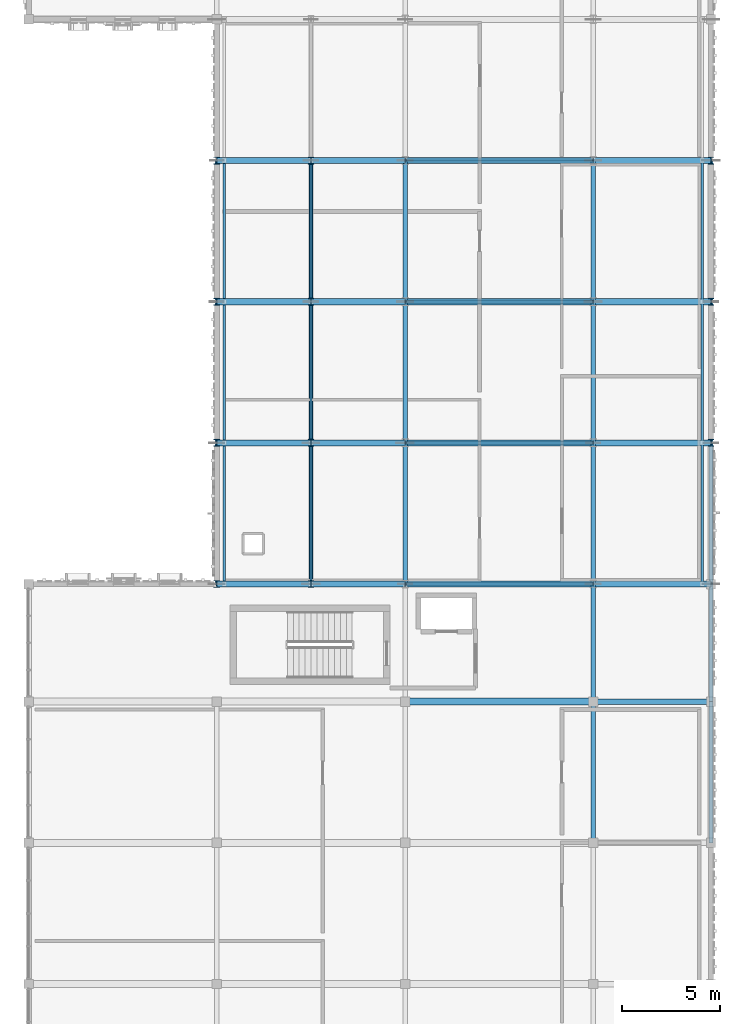
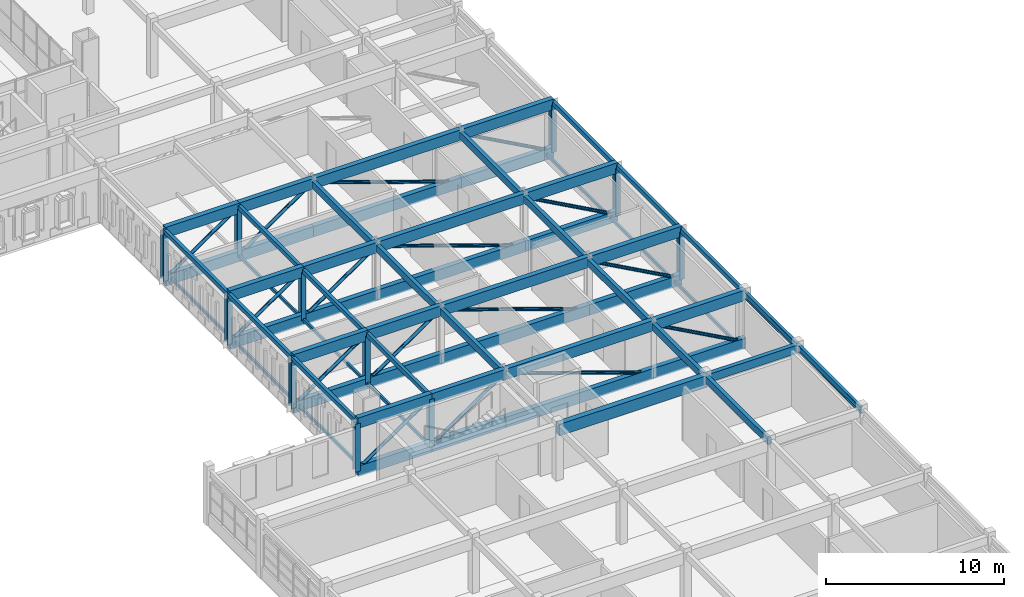
# One storey, part 28 of 79: 68 members, 21 beams.
"""IFC4 building model written with IfcOpenShell, lengths in metres."""

from ifc_helpers import new_model, si_unit, direction, frame, origin, origin_2d, place, context, subcontext, project, spatial, rectangle, hollow_rectangle, hollow_circle, i_section, extrude, material, material_profile, profile_set, type_object, element, save


model = new_model("IFC4")

# Units and contexts
model_context = context("Model", 3, precision=1e-05, world=origin(), true_north=direction((0.0, 1.0)))
body_context = subcontext(model_context, "Body", "Model", "MODEL_VIEW")
ifc_project = project(units=[si_unit("LENGTHUNIT", "METRE"), si_unit("AREAUNIT", "SQUARE_METRE"), si_unit("VOLUMEUNIT", "CUBIC_METRE"), si_unit("PLANEANGLEUNIT", "RADIAN"), si_unit("MASSUNIT", "GRAM", prefix="KILO")], contexts=[model_context])

# Site, building, storey
site_placement = place(None, origin())
site = spatial("IfcSite", under=ifc_project, at=site_placement, CompositionType="ELEMENT")
building_placement = place(site_placement, origin())
building = spatial("IfcBuilding", under=site, at=building_placement, Name="Nzembalo Square Collegiate School", CompositionType="ELEMENT")
storey_placement = place(building_placement, frame((0.0, 0.0, 9.52001953125)))
storey = spatial("IfcBuildingStorey", under=building, at=storey_placement, Name="L02", CompositionType="ELEMENT", Elevation=9.52001953125)

# Beams
ifc_material_1 = material(Name="Glulam GL28h", Category="wood")
ifc_material_profile_1 = material_profile(ifc_material_1, rectangle(XDim=0.280029296875, YDim=0.56005859375, at=origin_2d()), Name="GL28h 280x560")
ifc_profile_set_1 = profile_set([ifc_material_profile_1], Name="Glulam GL28h")
beam_type_1 = type_object("IfcBeamType", Name="B05", PredefinedType="BEAM", material=ifc_profile_set_1)
beam_1_placement = place(storey_placement, frame((159.60009765625, 44.39990234375, 3.5048828125), z_axis=(1.0, 0.0, 0.0), x_axis=(0.0, 1.0, 0.0)))
element("IfcBeam", 1, at=beam_1_placement, inside=storey, type_object=beam_type_1, Name="Beam B05 L02", PredefinedType="BEAM", context=body_context, shape_type="SweptSolid", body=[
    extrude(rectangle(XDim=0.280029296875, YDim=0.56005859375, at=origin_2d()), origin(), (0.0, 0.0, 1.0), 6.0),
])
ifc_material_2 = material(Name="Glulam GL28h", Category="wood")
ifc_material_profile_2 = material_profile(ifc_material_2, rectangle(XDim=0.239990234375, YDim=0.47998046875, at=origin_2d()), Name="GL28h 240x480")
ifc_profile_set_2 = profile_set([ifc_material_profile_2], Name="Glulam GL28h")
beam_type_2 = type_object("IfcBeamType", Name="B06", PredefinedType="BEAM", material=ifc_profile_set_2)
beam_2_placement = place(storey_placement, frame((150.0, 50.39990234375, 3.544921875), z_axis=(0.0, 1.0, 0.0), x_axis=(-1.0, 0.0, 0.0)))
element("IfcBeam", 2, at=beam_2_placement, inside=storey, type_object=beam_type_2, Name="Beam B06 L02", PredefinedType="BEAM", context=body_context, shape_type="SweptSolid", body=[
    extrude(rectangle(XDim=0.239990234375, YDim=0.47998046875, at=origin_2d()), origin(), (0.0, 0.0, 1.0), 7.2001953125),
])
for number, where, z_axis, x_axis, name in (
    (3, (150.0, 57.60009765625, 3.544921875), (0.0, 1.0, 0.0), (-1.0, 0.0, 0.0), "Beam B06 L02"),
    (4, (150.0, 64.800048828125, 3.544921875), (0.0, 1.0, 0.0), (-1.0, 0.0, 0.0), "Beam B06 L02"),
    (5, (159.60009765625, 37.199951171875, 3.544921875), (0.0, 1.0, 0.0), (-1.0, 0.0, 0.0), "Beam B06 L02"),
):
    element("IfcBeam", number, at=place(storey_placement, frame(where, z_axis=z_axis, x_axis=x_axis)), inside=storey, type_object=beam_type_2, Name=name, PredefinedType="BEAM", context=body_context, shape_type="SweptSolid", body=[
        extrude(rectangle(XDim=0.239990234375, YDim=0.47998046875, at=origin_2d()), origin(), (0.0, 0.0, 1.0), 7.199951171875),
    ])
beam_3_placement = place(storey_placement, frame((159.60009765625, 44.39990234375, 3.544921875), z_axis=(0.0, 1.0, 0.0), x_axis=(-1.0, 0.0, 0.0)))
element("IfcBeam", 6, at=beam_3_placement, inside=storey, type_object=beam_type_2, Name="Beam B06 L02", PredefinedType="BEAM", context=body_context, shape_type="SweptSolid", body=[
    extrude(rectangle(XDim=0.239990234375, YDim=0.47998046875, at=origin_2d()), origin(), (0.0, 0.0, 1.0), 6.0),
])
beam_4_placement = place(storey_placement, frame((159.60009765625, 50.39990234375, 3.544921875), z_axis=(0.0, 1.0, 0.0), x_axis=(-1.0, 0.0, 0.0)))
element("IfcBeam", 7, at=beam_4_placement, inside=storey, type_object=beam_type_2, Name="Beam B06 L02", PredefinedType="BEAM", context=body_context, shape_type="SweptSolid", body=[
    extrude(rectangle(XDim=0.239990234375, YDim=0.47998046875, at=origin_2d()), origin(), (0.0, 0.0, 1.0), 7.2001953125),
])
for number, where, z_axis, x_axis, name in (
    (8, (159.60009765625, 57.60009765625, 3.544921875), (0.0, 1.0, 0.0), (-1.0, 0.0, 0.0), "Beam B06 L02"),
    (9, (159.60009765625, 64.800048828125, 3.544921875), (0.0, 1.0, 0.0), (-1.0, 0.0, 0.0), "Beam B06 L02"),
):
    element("IfcBeam", number, at=place(storey_placement, frame(where, z_axis=z_axis, x_axis=x_axis)), inside=storey, type_object=beam_type_2, Name=name, PredefinedType="BEAM", context=body_context, shape_type="SweptSolid", body=[
        extrude(rectangle(XDim=0.239990234375, YDim=0.47998046875, at=origin_2d()), origin(), (0.0, 0.0, 1.0), 7.199951171875),
    ])
ifc_material_3 = material(Name="Steel S355", Category="steel")
ifc_material_profile_3 = material_profile(ifc_material_3, i_section(OverallWidth=0.18994140625, OverallDepth=0.449951171875, WebThickness=0.009521484375, FlangeThickness=0.0146484375, at=origin_2d()), Name="IPE 450")
ifc_profile_set_3 = profile_set([ifc_material_profile_3], Name="Steel S355")
beam_type_3 = type_object("IfcBeamType", Name="B09", PredefinedType="BEAM", material=ifc_profile_set_3)
beam_5_placement = place(storey_placement, frame((165.60009765625, 37.199951171875, 3.56005859375), z_axis=(0.0, 1.0, 0.0), x_axis=(-1.0, 0.0, 0.0)))
element("IfcBeam", 10, at=beam_5_placement, inside=storey, type_object=beam_type_3, Name="Beam B09 L02", PredefinedType="BEAM", context=body_context, shape_type="SweptSolid", body=[
    extrude(i_section(OverallWidth=0.18994140625, OverallDepth=0.449951171875, WebThickness=0.009521484375, FlangeThickness=0.0146484375, at=origin_2d()), origin(), (0.0, 0.0, 1.0), 7.199951171875),
])
beam_6_placement = place(storey_placement, frame((165.60009765625, 44.39990234375, 3.56005859375), z_axis=(0.0, 1.0, 0.0), x_axis=(-1.0, 0.0, 0.0)))
element("IfcBeam", 11, at=beam_6_placement, inside=storey, type_object=beam_type_3, Name="Beam B09 L02", PredefinedType="BEAM", context=body_context, shape_type="SweptSolid", body=[
    extrude(i_section(OverallWidth=0.18994140625, OverallDepth=0.449951171875, WebThickness=0.009521484375, FlangeThickness=0.0146484375, at=origin_2d()), origin(), (0.0, 0.0, 1.0), 6.0),
])
ifc_material_4 = material(Name="Glulam GL32h", Category="wood")
ifc_material_profile_4 = material_profile(ifc_material_4, rectangle(XDim=0.360107421875, YDim=0.800048828125, at=origin_2d()), Name="GL32h 360x800")
ifc_profile_set_4 = profile_set([ifc_material_profile_4], Name="Glulam GL32h")
beam_type_4 = type_object("IfcBeamType", Name="B13", PredefinedType="BEAM", material=ifc_profile_set_4)
beam_7_placement = place(storey_placement, frame((150.0, 44.39990234375, 3.385009765625), z_axis=(1.0, 0.0, 0.0), x_axis=(0.0, 1.0, 0.0)))
element("IfcBeam", 12, at=beam_7_placement, inside=storey, type_object=beam_type_4, Name="Beam B13 L02", PredefinedType="BEAM", context=body_context, shape_type="SweptSolid", body=[
    extrude(rectangle(XDim=0.360107421875, YDim=0.800048828125, at=origin_2d()), origin(), (0.0, 0.0, 1.0), 9.60009765625),
])
ifc_material_5 = material(Name="Steel S355", Category="steel")
ifc_material_profile_5 = material_profile(ifc_material_5, hollow_rectangle(XDim=0.199951171875, YDim=0.300048828125, WallThickness=0.011962890625, at=origin_2d()), Name="RHS 300x200x12")
ifc_profile_set_5 = profile_set([ifc_material_profile_5], Name="Steel S355")
beam_type_5 = type_object("IfcBeamType", Name="SP03", PredefinedType="SPANDREL", material=ifc_profile_set_5)
for number, where, z_axis, x_axis, name in (
    (13, (165.60009765625, 50.39990234375, 3.635009765625), (0.0, 1.0, 0.0), (-1.0, 0.0, 0.0), "Cantilever edge beam SP03 4B L02"),
    (14, (140.39990234375, 50.39990234375, 3.635009765625), (0.0, 1.0, 0.0), (-1.0, 0.0, 0.0), "Cantilever edge beam SP03 4B L02"),
    (15, (145.199951171875, 50.39990234375, 3.635009765625), (0.0, 1.0, 0.0), (-1.0, 0.0, 0.0), "Cantilever edge beam SP03 4B L02"),
):
    element("IfcBeam", number, at=place(storey_placement, frame(where, z_axis=z_axis, x_axis=x_axis)), inside=storey, type_object=beam_type_5, Name=name, PredefinedType="SPANDREL", context=body_context, shape_type="SweptSolid", body=[
        extrude(hollow_rectangle(XDim=0.199951171875, YDim=0.300048828125, WallThickness=0.011962890625, at=origin_2d()), origin(), (0.0, 0.0, 1.0), 7.2001953125),
    ])
for number, where, z_axis, x_axis, name in (
    (16, (165.60009765625, 57.60009765625, 3.635009765625), (0.0, 1.0, 0.0), (-1.0, 0.0, 0.0), "Cantilever edge beam SP03 4B L02"),
    (17, (140.39990234375, 57.60009765625, 3.635009765625), (0.0, 1.0, 0.0), (-1.0, 0.0, 0.0), "Cantilever edge beam SP03 4B L02"),
    (18, (145.199951171875, 57.60009765625, 3.635009765625), (0.0, 1.0, 0.0), (-1.0, 0.0, 0.0), "Cantilever edge beam SP03 4B L02"),
    (19, (165.60009765625, 64.800048828125, 3.635009765625), (0.0, 1.0, 0.0), (-1.0, 0.0, 0.0), "Cantilever edge beam SP03 4B L02"),
    (20, (140.39990234375, 64.800048828125, 3.635009765625), (0.0, 1.0, 0.0), (-1.0, 0.0, 0.0), "Cantilever edge beam SP03 4B L02"),
    (21, (145.199951171875, 64.800048828125, 3.635009765625), (0.0, 1.0, 0.0), (-1.0, 0.0, 0.0), "Cantilever edge beam SP03 4B L02"),
):
    element("IfcBeam", number, at=place(storey_placement, frame(where, z_axis=z_axis, x_axis=x_axis)), inside=storey, type_object=beam_type_5, Name=name, PredefinedType="SPANDREL", context=body_context, shape_type="SweptSolid", body=[
        extrude(hollow_rectangle(XDim=0.199951171875, YDim=0.300048828125, WallThickness=0.011962890625, at=origin_2d()), origin(), (0.0, 0.0, 1.0), 7.199951171875),
    ])

# Members
ifc_material_6 = material(Name="Steel S355", Category="steel")
ifc_material_profile_6 = material_profile(ifc_material_6, hollow_rectangle(XDim=0.1201171875, YDim=0.199951171875, WallThickness=0.008056640625, at=origin_2d()), Name="RHS 200x120x8")
ifc_profile_set_6 = profile_set([ifc_material_profile_6], Name="Steel S355")
member_type_1 = type_object("IfcMemberType", Name="BR02", PredefinedType="BRACE", material=ifc_profile_set_6)
for number, where, z_axis, x_axis, name in (
    (22, (140.780029296875, 50.39990234375, 0.260009765625), (0.0, 1.0, 0.0), (-1.0, 0.0, 0.0), "Cantilever bottom-chord tie 4B btip"),
    (23, (145.199951171875, 50.39990234375, 0.260009765625), (0.0, 1.0, 0.0), (-1.0, 0.0, 0.0), "Cantilever bottom-chord tie 4B bmid"),
):
    element("IfcMember", number, at=place(storey_placement, frame(where, z_axis=z_axis, x_axis=x_axis)), inside=storey, type_object=member_type_1, Name=name, PredefinedType="BRACE", context=body_context, shape_type="SweptSolid", body=[
        extrude(hollow_rectangle(XDim=0.1201171875, YDim=0.199951171875, WallThickness=0.008056640625, at=origin_2d()), origin(), (0.0, 0.0, 1.0), 7.2001953125),
    ])
for number, where, z_axis, x_axis, name in (
    (24, (140.780029296875, 57.60009765625, 0.260009765625), (0.0, 1.0, 0.0), (-1.0, 0.0, 0.0), "Cantilever bottom-chord tie 4B btip"),
    (25, (145.199951171875, 57.60009765625, 0.260009765625), (0.0, 1.0, 0.0), (-1.0, 0.0, 0.0), "Cantilever bottom-chord tie 4B bmid"),
    (26, (140.780029296875, 64.800048828125, 0.260009765625), (0.0, 1.0, 0.0), (-1.0, 0.0, 0.0), "Cantilever bottom-chord tie 4B btip"),
    (27, (145.199951171875, 64.800048828125, 0.260009765625), (0.0, 1.0, 0.0), (-1.0, 0.0, 0.0), "Cantilever bottom-chord tie 4B bmid"),
):
    element("IfcMember", number, at=place(storey_placement, frame(where, z_axis=z_axis, x_axis=x_axis)), inside=storey, type_object=member_type_1, Name=name, PredefinedType="BRACE", context=body_context, shape_type="SweptSolid", body=[
        extrude(hollow_rectangle(XDim=0.1201171875, YDim=0.199951171875, WallThickness=0.008056640625, at=origin_2d()), origin(), (0.0, 0.0, 1.0), 7.199951171875),
    ])
member_1_placement = place(storey_placement, frame((165.14990234375, 50.39990234375, 0.260009765625), z_axis=(0.0, 1.0, 0.0), x_axis=(-1.0, 0.0, 0.0)))
element("IfcMember", 28, at=member_1_placement, inside=storey, type_object=member_type_1, Name="Cantilever outer bottom-chord tie 4B", PredefinedType="BRACE", context=body_context, shape_type="SweptSolid", body=[
    extrude(hollow_rectangle(XDim=0.1201171875, YDim=0.199951171875, WallThickness=0.008056640625, at=origin_2d()), origin(), (0.0, 0.0, 1.0), 7.2001953125),
])
for number, where, z_axis, x_axis, name in (
    (29, (165.14990234375, 57.60009765625, 0.260009765625), (0.0, 1.0, 0.0), (-1.0, 0.0, 0.0), "Cantilever outer bottom-chord tie 4B"),
    (30, (165.14990234375, 64.800048828125, 0.260009765625), (0.0, 1.0, 0.0), (-1.0, 0.0, 0.0), "Cantilever outer bottom-chord tie 4B"),
):
    element("IfcMember", number, at=place(storey_placement, frame(where, z_axis=z_axis, x_axis=x_axis)), inside=storey, type_object=member_type_1, Name=name, PredefinedType="BRACE", context=body_context, shape_type="SweptSolid", body=[
        extrude(hollow_rectangle(XDim=0.1201171875, YDim=0.199951171875, WallThickness=0.008056640625, at=origin_2d()), origin(), (0.0, 0.0, 1.0), 7.199951171875),
    ])
ifc_material_7 = material(Name="Glulam GL32h", Category="wood")
ifc_material_profile_7 = material_profile(ifc_material_7, rectangle(XDim=0.320068359375, YDim=0.719970703125, at=origin_2d()), Name="GL32h 320x720")
ifc_profile_set_7 = profile_set([ifc_material_profile_7], Name="Glulam GL32h")
member_type_2 = type_object("IfcMemberType", Name="TC04", PredefinedType="CHORD", material=ifc_profile_set_7)
for number, where, z_axis, x_axis, name in (
    (31, (165.60009765625, 50.39990234375, 3.56005859375), (-1.0, 0.0, 0.0), (0.0, -1.0, 0.0), "TT-4B-01 top chord 1"),
    (32, (165.60009765625, 50.39990234375, 0.260009765625), (-1.0, 0.0, 0.0), (0.0, -1.0, 0.0), "TT-4B-01 bottom chord 1"),
):
    element("IfcMember", number, at=place(storey_placement, frame(where, z_axis=z_axis, x_axis=x_axis)), inside=storey, type_object=member_type_2, Name=name, PredefinedType="CHORD", context=body_context, shape_type="SweptSolid", body=[
        extrude(rectangle(XDim=0.320068359375, YDim=0.719970703125, at=origin_2d()), origin(), (0.0, 0.0, 1.0), 6.0),
    ])
for number, where, z_axis, x_axis, name in (
    (33, (159.60009765625, 50.39990234375, 3.56005859375), (-1.0, 0.0, 0.0), (0.0, -1.0, 0.0), "TT-4B-01 top chord 2"),
    (34, (159.60009765625, 50.39990234375, 0.260009765625), (-1.0, 0.0, 0.0), (0.0, -1.0, 0.0), "TT-4B-01 bottom chord 2"),
):
    element("IfcMember", number, at=place(storey_placement, frame(where, z_axis=z_axis, x_axis=x_axis)), inside=storey, type_object=member_type_2, Name=name, PredefinedType="CHORD", context=body_context, shape_type="SweptSolid", body=[
        extrude(rectangle(XDim=0.320068359375, YDim=0.719970703125, at=origin_2d()), origin(), (0.0, 0.0, 1.0), 9.60009765625),
    ])
for number, where, z_axis, x_axis, name in (
    (35, (150.0, 50.39990234375, 3.56005859375), (-1.0, 0.0, 0.0), (0.0, -1.0, 0.0), "TT-4B-01 top chord 3"),
    (36, (150.0, 50.39990234375, 0.260009765625), (-1.0, 0.0, 0.0), (0.0, -1.0, 0.0), "TT-4B-01 bottom chord 3"),
    (37, (145.199951171875, 50.39990234375, 3.56005859375), (-1.0, 0.0, 0.0), (0.0, -1.0, 0.0), "TT-4B-01 top chord 4"),
    (38, (145.199951171875, 50.39990234375, 0.260009765625), (-1.0, 0.0, 0.0), (0.0, -1.0, 0.0), "TT-4B-01 bottom chord 4"),
):
    element("IfcMember", number, at=place(storey_placement, frame(where, z_axis=z_axis, x_axis=x_axis)), inside=storey, type_object=member_type_2, Name=name, PredefinedType="CHORD", context=body_context, shape_type="SweptSolid", body=[
        extrude(rectangle(XDim=0.320068359375, YDim=0.719970703125, at=origin_2d()), origin(), (0.0, 0.0, 1.0), 4.800048828125),
    ])
for number, where, z_axis, x_axis, name in (
    (39, (165.60009765625, 57.60009765625, 3.56005859375), (-1.0, 0.0, 0.0), (0.0, -1.0, 0.0), "TT-4B-02 top chord 1"),
    (40, (165.60009765625, 57.60009765625, 0.260009765625), (-1.0, 0.0, 0.0), (0.0, -1.0, 0.0), "TT-4B-02 bottom chord 1"),
):
    element("IfcMember", number, at=place(storey_placement, frame(where, z_axis=z_axis, x_axis=x_axis)), inside=storey, type_object=member_type_2, Name=name, PredefinedType="CHORD", context=body_context, shape_type="SweptSolid", body=[
        extrude(rectangle(XDim=0.320068359375, YDim=0.719970703125, at=origin_2d()), origin(), (0.0, 0.0, 1.0), 6.0),
    ])
for number, where, z_axis, x_axis, name in (
    (41, (159.60009765625, 57.60009765625, 3.56005859375), (-1.0, 0.0, 0.0), (0.0, -1.0, 0.0), "TT-4B-02 top chord 2"),
    (42, (159.60009765625, 57.60009765625, 0.260009765625), (-1.0, 0.0, 0.0), (0.0, -1.0, 0.0), "TT-4B-02 bottom chord 2"),
):
    element("IfcMember", number, at=place(storey_placement, frame(where, z_axis=z_axis, x_axis=x_axis)), inside=storey, type_object=member_type_2, Name=name, PredefinedType="CHORD", context=body_context, shape_type="SweptSolid", body=[
        extrude(rectangle(XDim=0.320068359375, YDim=0.719970703125, at=origin_2d()), origin(), (0.0, 0.0, 1.0), 9.60009765625),
    ])
for number, where, z_axis, x_axis, name in (
    (43, (150.0, 57.60009765625, 3.56005859375), (-1.0, 0.0, 0.0), (0.0, -1.0, 0.0), "TT-4B-02 top chord 3"),
    (44, (150.0, 57.60009765625, 0.260009765625), (-1.0, 0.0, 0.0), (0.0, -1.0, 0.0), "TT-4B-02 bottom chord 3"),
    (45, (145.199951171875, 57.60009765625, 3.56005859375), (-1.0, 0.0, 0.0), (0.0, -1.0, 0.0), "TT-4B-02 top chord 4"),
    (46, (145.199951171875, 57.60009765625, 0.260009765625), (-1.0, 0.0, 0.0), (0.0, -1.0, 0.0), "TT-4B-02 bottom chord 4"),
):
    element("IfcMember", number, at=place(storey_placement, frame(where, z_axis=z_axis, x_axis=x_axis)), inside=storey, type_object=member_type_2, Name=name, PredefinedType="CHORD", context=body_context, shape_type="SweptSolid", body=[
        extrude(rectangle(XDim=0.320068359375, YDim=0.719970703125, at=origin_2d()), origin(), (0.0, 0.0, 1.0), 4.800048828125),
    ])
for number, where, z_axis, x_axis, name in (
    (47, (165.60009765625, 64.800048828125, 3.56005859375), (-1.0, 0.0, 0.0), (0.0, -1.0, 0.0), "TT-4B-03 top chord 1"),
    (48, (165.60009765625, 64.800048828125, 0.260009765625), (-1.0, 0.0, 0.0), (0.0, -1.0, 0.0), "TT-4B-03 bottom chord 1"),
):
    element("IfcMember", number, at=place(storey_placement, frame(where, z_axis=z_axis, x_axis=x_axis)), inside=storey, type_object=member_type_2, Name=name, PredefinedType="CHORD", context=body_context, shape_type="SweptSolid", body=[
        extrude(rectangle(XDim=0.320068359375, YDim=0.719970703125, at=origin_2d()), origin(), (0.0, 0.0, 1.0), 6.0),
    ])
for number, where, z_axis, x_axis, name in (
    (49, (159.60009765625, 64.800048828125, 3.56005859375), (-1.0, 0.0, 0.0), (0.0, -1.0, 0.0), "TT-4B-03 top chord 2"),
    (50, (159.60009765625, 64.800048828125, 0.260009765625), (-1.0, 0.0, 0.0), (0.0, -1.0, 0.0), "TT-4B-03 bottom chord 2"),
):
    element("IfcMember", number, at=place(storey_placement, frame(where, z_axis=z_axis, x_axis=x_axis)), inside=storey, type_object=member_type_2, Name=name, PredefinedType="CHORD", context=body_context, shape_type="SweptSolid", body=[
        extrude(rectangle(XDim=0.320068359375, YDim=0.719970703125, at=origin_2d()), origin(), (0.0, 0.0, 1.0), 9.60009765625),
    ])
for number, where, z_axis, x_axis, name in (
    (51, (150.0, 64.800048828125, 3.56005859375), (-1.0, 0.0, 0.0), (0.0, -1.0, 0.0), "TT-4B-03 top chord 3"),
    (52, (150.0, 64.800048828125, 0.260009765625), (-1.0, 0.0, 0.0), (0.0, -1.0, 0.0), "TT-4B-03 bottom chord 3"),
    (53, (145.199951171875, 64.800048828125, 3.56005859375), (-1.0, 0.0, 0.0), (0.0, -1.0, 0.0), "TT-4B-03 top chord 4"),
    (54, (145.199951171875, 64.800048828125, 0.260009765625), (-1.0, 0.0, 0.0), (0.0, -1.0, 0.0), "TT-4B-03 bottom chord 4"),
):
    element("IfcMember", number, at=place(storey_placement, frame(where, z_axis=z_axis, x_axis=x_axis)), inside=storey, type_object=member_type_2, Name=name, PredefinedType="CHORD", context=body_context, shape_type="SweptSolid", body=[
        extrude(rectangle(XDim=0.320068359375, YDim=0.719970703125, at=origin_2d()), origin(), (0.0, 0.0, 1.0), 4.800048828125),
    ])
for number, where, z_axis, x_axis, name in (
    (55, (165.60009765625, 72.0, 3.56005859375), (-1.0, 0.0, 0.0), (0.0, -1.0, 0.0), "TT-4B-04 top chord 1"),
    (56, (165.60009765625, 72.0, 0.260009765625), (-1.0, 0.0, 0.0), (0.0, -1.0, 0.0), "TT-4B-04 bottom chord 1"),
):
    element("IfcMember", number, at=place(storey_placement, frame(where, z_axis=z_axis, x_axis=x_axis)), inside=storey, type_object=member_type_2, Name=name, PredefinedType="CHORD", context=body_context, shape_type="SweptSolid", body=[
        extrude(rectangle(XDim=0.320068359375, YDim=0.719970703125, at=origin_2d()), origin(), (0.0, 0.0, 1.0), 6.0),
    ])
for number, where, z_axis, x_axis, name in (
    (57, (159.60009765625, 72.0, 3.56005859375), (-1.0, 0.0, 0.0), (0.0, -1.0, 0.0), "TT-4B-04 top chord 2"),
    (58, (159.60009765625, 72.0, 0.260009765625), (-1.0, 0.0, 0.0), (0.0, -1.0, 0.0), "TT-4B-04 bottom chord 2"),
):
    element("IfcMember", number, at=place(storey_placement, frame(where, z_axis=z_axis, x_axis=x_axis)), inside=storey, type_object=member_type_2, Name=name, PredefinedType="CHORD", context=body_context, shape_type="SweptSolid", body=[
        extrude(rectangle(XDim=0.320068359375, YDim=0.719970703125, at=origin_2d()), origin(), (0.0, 0.0, 1.0), 9.60009765625),
    ])
for number, where, z_axis, x_axis, name in (
    (59, (150.0, 72.0, 3.56005859375), (-1.0, 0.0, 0.0), (0.0, -1.0, 0.0), "TT-4B-04 top chord 3"),
    (60, (150.0, 72.0, 0.260009765625), (-1.0, 0.0, 0.0), (0.0, -1.0, 0.0), "TT-4B-04 bottom chord 3"),
    (61, (145.199951171875, 72.0, 3.56005859375), (-1.0, 0.0, 0.0), (0.0, -1.0, 0.0), "TT-4B-04 top chord 4"),
    (62, (145.199951171875, 72.0, 0.260009765625), (-1.0, 0.0, 0.0), (0.0, -1.0, 0.0), "TT-4B-04 bottom chord 4"),
):
    element("IfcMember", number, at=place(storey_placement, frame(where, z_axis=z_axis, x_axis=x_axis)), inside=storey, type_object=member_type_2, Name=name, PredefinedType="CHORD", context=body_context, shape_type="SweptSolid", body=[
        extrude(rectangle(XDim=0.320068359375, YDim=0.719970703125, at=origin_2d()), origin(), (0.0, 0.0, 1.0), 4.800048828125),
    ])
ifc_material_8 = material(Name="Steel S355", Category="steel")
ifc_material_profile_8 = material_profile(ifc_material_8, hollow_circle(Radius=0.109619140625, WallThickness=0.010009765625, at=origin_2d()), Name="CHS 219x10")
ifc_profile_set_8 = profile_set([ifc_material_profile_8], Name="Steel S355")
member_type_3 = type_object("IfcMemberType", Name="TD04", PredefinedType="BRACE", material=ifc_profile_set_8)
member_2_placement = place(storey_placement, frame((165.60009765625, 50.39990234375, 0.260009765625), z_axis=(-0.876212897641, 0.0, 0.481924224341), x_axis=(0.0, -1.0, 0.0)))
element("IfcMember", 63, at=member_2_placement, inside=storey, type_object=member_type_3, Name="TT-4B-01 web diagonal 1", PredefinedType="BRACE", context=body_context, shape_type="SweptSolid", body=[
    extrude(hollow_circle(Radius=0.109619140625, WallThickness=0.010009765625, at=origin_2d()), origin(), (0.0, 0.0, 1.0), 6.84765625),
])
member_3_placement = place(storey_placement, frame((159.60009765625, 50.39990234375, 0.260009765625), z_axis=(-0.945686137212, 0.0, 0.325081112779), x_axis=(0.0, -1.0, 0.0)))
element("IfcMember", 64, at=member_3_placement, inside=storey, type_object=member_type_3, Name="TT-4B-01 web diagonal 2", PredefinedType="BRACE", context=body_context, shape_type="SweptSolid", body=[
    extrude(hollow_circle(Radius=0.109619140625, WallThickness=0.010009765625, at=origin_2d()), origin(), (0.0, 0.0, 1.0), 10.1513671875),
])
for number, where, z_axis, x_axis, name in (
    (65, (145.199951171875, 50.39990234375, 0.260009765625), (0.824040701288, 0.0, 0.566530601664), (0.0, 1.0, 0.0), "TT-4B-01 web diagonal 3"),
    (66, (140.39990234375, 50.39990234375, 0.260009765625), (0.824040701288, 0.0, 0.566530601664), (0.0, 1.0, 0.0), "TT-4B-01 web diagonal 4"),
):
    element("IfcMember", number, at=place(storey_placement, frame(where, z_axis=z_axis, x_axis=x_axis)), inside=storey, type_object=member_type_3, Name=name, PredefinedType="BRACE", context=body_context, shape_type="SweptSolid", body=[
        extrude(hollow_circle(Radius=0.109619140625, WallThickness=0.010009765625, at=origin_2d()), origin(), (0.0, 0.0, 1.0), 5.824951171875),
    ])
member_4_placement = place(storey_placement, frame((165.60009765625, 57.60009765625, 0.260009765625), z_axis=(-0.876212897641, 0.0, 0.481924224341), x_axis=(0.0, -1.0, 0.0)))
element("IfcMember", 67, at=member_4_placement, inside=storey, type_object=member_type_3, Name="TT-4B-02 web diagonal 1", PredefinedType="BRACE", context=body_context, shape_type="SweptSolid", body=[
    extrude(hollow_circle(Radius=0.109619140625, WallThickness=0.010009765625, at=origin_2d()), origin(), (0.0, 0.0, 1.0), 6.84765625),
])
member_5_placement = place(storey_placement, frame((159.60009765625, 57.60009765625, 0.260009765625), z_axis=(-0.945686137212, 0.0, 0.325081112779), x_axis=(0.0, -1.0, 0.0)))
element("IfcMember", 68, at=member_5_placement, inside=storey, type_object=member_type_3, Name="TT-4B-02 web diagonal 2", PredefinedType="BRACE", context=body_context, shape_type="SweptSolid", body=[
    extrude(hollow_circle(Radius=0.109619140625, WallThickness=0.010009765625, at=origin_2d()), origin(), (0.0, 0.0, 1.0), 10.1513671875),
])
for number, where, z_axis, x_axis, name in (
    (69, (145.199951171875, 57.60009765625, 0.260009765625), (0.824040701288, 0.0, 0.566530601664), (0.0, 1.0, 0.0), "TT-4B-02 web diagonal 3"),
    (70, (140.39990234375, 57.60009765625, 0.260009765625), (0.824040701288, 0.0, 0.566530601664), (0.0, 1.0, 0.0), "TT-4B-02 web diagonal 4"),
):
    element("IfcMember", number, at=place(storey_placement, frame(where, z_axis=z_axis, x_axis=x_axis)), inside=storey, type_object=member_type_3, Name=name, PredefinedType="BRACE", context=body_context, shape_type="SweptSolid", body=[
        extrude(hollow_circle(Radius=0.109619140625, WallThickness=0.010009765625, at=origin_2d()), origin(), (0.0, 0.0, 1.0), 5.824951171875),
    ])
member_6_placement = place(storey_placement, frame((165.60009765625, 64.800048828125, 0.260009765625), z_axis=(-0.876212897641, 0.0, 0.481924224341), x_axis=(0.0, -1.0, 0.0)))
element("IfcMember", 71, at=member_6_placement, inside=storey, type_object=member_type_3, Name="TT-4B-03 web diagonal 1", PredefinedType="BRACE", context=body_context, shape_type="SweptSolid", body=[
    extrude(hollow_circle(Radius=0.109619140625, WallThickness=0.010009765625, at=origin_2d()), origin(), (0.0, 0.0, 1.0), 6.84765625),
])
member_7_placement = place(storey_placement, frame((159.60009765625, 64.800048828125, 0.260009765625), z_axis=(-0.945686137212, 0.0, 0.325081112779), x_axis=(0.0, -1.0, 0.0)))
element("IfcMember", 72, at=member_7_placement, inside=storey, type_object=member_type_3, Name="TT-4B-03 web diagonal 2", PredefinedType="BRACE", context=body_context, shape_type="SweptSolid", body=[
    extrude(hollow_circle(Radius=0.109619140625, WallThickness=0.010009765625, at=origin_2d()), origin(), (0.0, 0.0, 1.0), 10.1513671875),
])
for number, where, z_axis, x_axis, name in (
    (73, (145.199951171875, 64.800048828125, 0.260009765625), (0.824040701288, 0.0, 0.566530601664), (0.0, 1.0, 0.0), "TT-4B-03 web diagonal 3"),
    (74, (140.39990234375, 64.800048828125, 0.260009765625), (0.824040701288, 0.0, 0.566530601664), (0.0, 1.0, 0.0), "TT-4B-03 web diagonal 4"),
):
    element("IfcMember", number, at=place(storey_placement, frame(where, z_axis=z_axis, x_axis=x_axis)), inside=storey, type_object=member_type_3, Name=name, PredefinedType="BRACE", context=body_context, shape_type="SweptSolid", body=[
        extrude(hollow_circle(Radius=0.109619140625, WallThickness=0.010009765625, at=origin_2d()), origin(), (0.0, 0.0, 1.0), 5.824951171875),
    ])
member_8_placement = place(storey_placement, frame((165.60009765625, 72.0, 0.260009765625), z_axis=(-0.876212897641, 0.0, 0.481924224341), x_axis=(0.0, -1.0, 0.0)))
element("IfcMember", 75, at=member_8_placement, inside=storey, type_object=member_type_3, Name="TT-4B-04 web diagonal 1", PredefinedType="BRACE", context=body_context, shape_type="SweptSolid", body=[
    extrude(hollow_circle(Radius=0.109619140625, WallThickness=0.010009765625, at=origin_2d()), origin(), (0.0, 0.0, 1.0), 6.84765625),
])
member_9_placement = place(storey_placement, frame((159.60009765625, 72.0, 0.260009765625), z_axis=(-0.945686137212, 0.0, 0.325081112779), x_axis=(0.0, -1.0, 0.0)))
element("IfcMember", 76, at=member_9_placement, inside=storey, type_object=member_type_3, Name="TT-4B-04 web diagonal 2", PredefinedType="BRACE", context=body_context, shape_type="SweptSolid", body=[
    extrude(hollow_circle(Radius=0.109619140625, WallThickness=0.010009765625, at=origin_2d()), origin(), (0.0, 0.0, 1.0), 10.1513671875),
])
for number, where, z_axis, x_axis, name in (
    (77, (145.199951171875, 72.0, 0.260009765625), (0.824040701288, 0.0, 0.566530601664), (0.0, 1.0, 0.0), "TT-4B-04 web diagonal 3"),
    (78, (140.39990234375, 72.0, 0.260009765625), (0.824040701288, 0.0, 0.566530601664), (0.0, 1.0, 0.0), "TT-4B-04 web diagonal 4"),
):
    element("IfcMember", number, at=place(storey_placement, frame(where, z_axis=z_axis, x_axis=x_axis)), inside=storey, type_object=member_type_3, Name=name, PredefinedType="BRACE", context=body_context, shape_type="SweptSolid", body=[
        extrude(hollow_circle(Radius=0.109619140625, WallThickness=0.010009765625, at=origin_2d()), origin(), (0.0, 0.0, 1.0), 5.824951171875),
    ])
ifc_material_9 = material(Name="Steel S355", Category="steel")
ifc_material_profile_9 = material_profile(ifc_material_9, i_section(OverallWidth=0.300048828125, OverallDepth=0.35009765625, WebThickness=0.010009765625, FlangeThickness=0.017578125, at=origin_2d()), Name="HEA 360")
ifc_profile_set_9 = profile_set([ifc_material_profile_9], Name="Steel S355")
member_type_4 = type_object("IfcMemberType", Name="TP02", PredefinedType="POST", material=ifc_profile_set_9)
for number, where, z_axis, x_axis, name in (
    (79, (145.199951171875, 50.39990234375, 0.260009765625), (0.0, 0.0, 1.0), (1.0, 0.0, 0.0), "TT-4B-01 cantilever post 3"),
    (80, (140.39990234375, 50.39990234375, 0.260009765625), (0.0, 0.0, 1.0), (1.0, 0.0, 0.0), "TT-4B-01 cantilever post 4"),
    (81, (165.60009765625, 57.60009765625, 0.260009765625), (0.0, 0.0, 1.0), (1.0, 0.0, 0.0), "TT-4B-02 cantilever post 0"),
    (82, (145.199951171875, 57.60009765625, 0.260009765625), (0.0, 0.0, 1.0), (1.0, 0.0, 0.0), "TT-4B-02 cantilever post 3"),
    (83, (140.39990234375, 57.60009765625, 0.260009765625), (0.0, 0.0, 1.0), (1.0, 0.0, 0.0), "TT-4B-02 cantilever post 4"),
    (84, (165.60009765625, 64.800048828125, 0.260009765625), (0.0, 0.0, 1.0), (1.0, 0.0, 0.0), "TT-4B-03 cantilever post 0"),
    (85, (145.199951171875, 64.800048828125, 0.260009765625), (0.0, 0.0, 1.0), (1.0, 0.0, 0.0), "TT-4B-03 cantilever post 3"),
    (86, (140.39990234375, 64.800048828125, 0.260009765625), (0.0, 0.0, 1.0), (1.0, 0.0, 0.0), "TT-4B-03 cantilever post 4"),
    (87, (165.60009765625, 72.0, 0.260009765625), (0.0, 0.0, 1.0), (1.0, 0.0, 0.0), "TT-4B-04 cantilever post 0"),
    (88, (145.199951171875, 72.0, 0.260009765625), (0.0, 0.0, 1.0), (1.0, 0.0, 0.0), "TT-4B-04 cantilever post 3"),
    (89, (140.39990234375, 72.0, 0.260009765625), (0.0, 0.0, 1.0), (1.0, 0.0, 0.0), "TT-4B-04 cantilever post 4"),
):
    element("IfcMember", number, at=place(storey_placement, frame(where, z_axis=z_axis, x_axis=x_axis)), inside=storey, type_object=member_type_4, Name=name, PredefinedType="POST", context=body_context, shape_type="SweptSolid", body=[
        extrude(i_section(OverallWidth=0.300048828125, OverallDepth=0.35009765625, WebThickness=0.010009765625, FlangeThickness=0.017578125, at=origin_2d()), origin(), (0.0, 0.0, 1.0), 3.300048828125),
    ])

save(model, "model.ifc")
